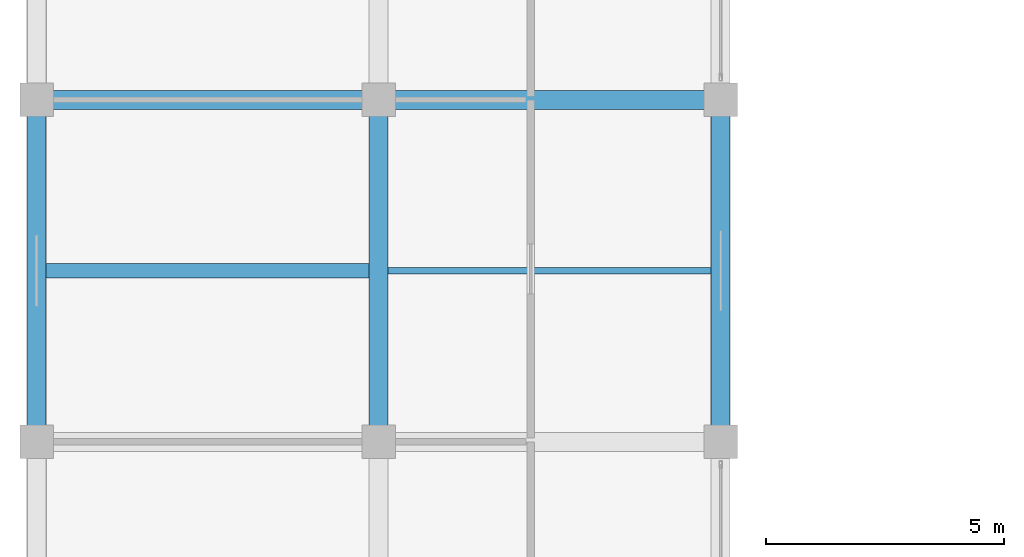
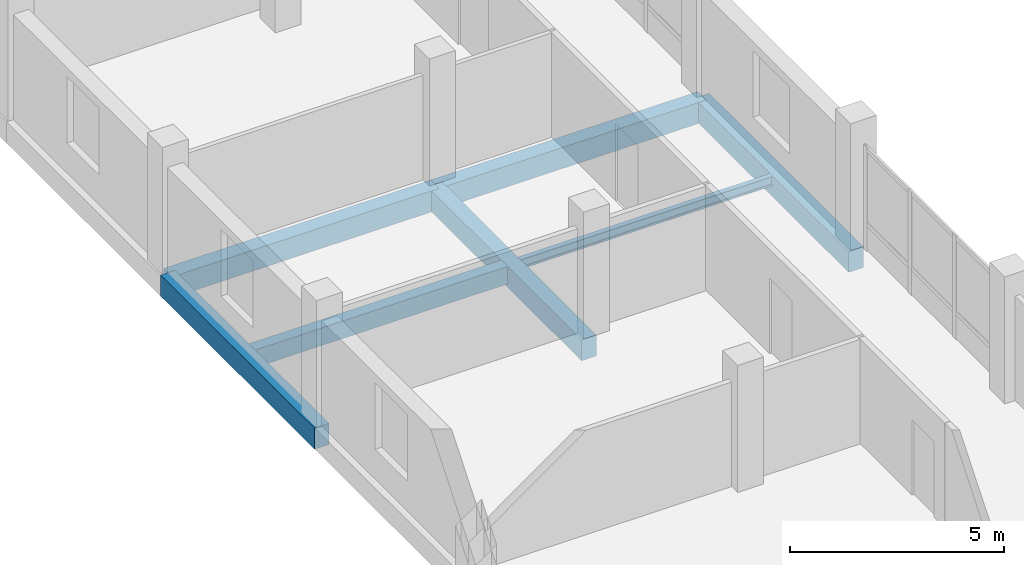
# One storey, part 12 of 128: 7 beams.
"""IFC4 building model written with IfcOpenShell, lengths in metres."""

from ifc_helpers import new_model, si_unit, direction, frame, origin, origin_2d, place, context, subcontext, project, spatial, rectangle, i_section, extrude, material, material_profile, profile_set, type_object, element, save


model = new_model("IFC4")

# Units and contexts
model_context = context("Model", 3, precision=1e-05, world=origin(), true_north=direction((0.0, 1.0)))
body_context = subcontext(model_context, "Body", "Model", "MODEL_VIEW")
ifc_project = project(units=[si_unit("LENGTHUNIT", "METRE"), si_unit("AREAUNIT", "SQUARE_METRE"), si_unit("VOLUMEUNIT", "CUBIC_METRE"), si_unit("PLANEANGLEUNIT", "RADIAN"), si_unit("MASSUNIT", "GRAM", prefix="KILO")], contexts=[model_context])

# Site, building, storey
site_placement = place(None, origin())
site = spatial("IfcSite", under=ifc_project, at=site_placement, CompositionType="ELEMENT")
building_placement = place(site_placement, origin())
building = spatial("IfcBuilding", under=site, at=building_placement, Name="Zornivar Specialist Clinic", CompositionType="ELEMENT")
storey_placement = place(building_placement, frame((0.0, 0.0, 4.5)))
storey = spatial("IfcBuildingStorey", under=building, at=storey_placement, Name="L01", CompositionType="ELEMENT", Elevation=4.5)

# Beams
ifc_material_1 = material(Name="Concrete C30/37", Category="concrete")
ifc_material_profile_1 = material_profile(ifc_material_1, rectangle(XDim=0.39990234375, YDim=0.60009765625, at=origin_2d()), Name="RC 400x600")
ifc_profile_set_1 = profile_set([ifc_material_profile_1], Name="Concrete C30/37")
beam_type_1 = type_object("IfcBeamType", Name="BM-RC-400x600", PredefinedType="BEAM", material=ifc_profile_set_1)
for number, where, z_axis, x_axis, name in (
    (1, (0.0, 28.800048828125, -0.580078125), (1.0, 0.0, 0.0), (0.0, 1.0, 0.0), "bm:V2:L01:x:288:0"),
    (2, (7.199951171875, 28.800048828125, -0.580078125), (1.0, 0.0, 0.0), (0.0, 1.0, 0.0), "bm:V2:L01:x:288:1"),
    (3, (7.199951171875, 21.60009765625, -0.580078125), (0.0, 1.0, 0.0), (-1.0, 0.0, 0.0), "bm:V2:L01:y:72:3"),
    (4, (14.39990234375, 21.60009765625, -0.580078125), (0.0, 1.0, 0.0), (-1.0, 0.0, 0.0), "bm:V2:L01:y:144:3"),
):
    element("IfcBeam", number, at=place(storey_placement, frame(where, z_axis=z_axis, x_axis=x_axis)), inside=storey, type_object=beam_type_1, Name=name, PredefinedType="BEAM", context=body_context, shape_type="SweptSolid", body=[
        extrude(rectangle(XDim=0.39990234375, YDim=0.60009765625, at=origin_2d()), origin(), (0.0, 0.0, 1.0), 7.199951171875),
    ])
ifc_material_2 = material(Name="Concrete C30/37", Category="concrete")
ifc_material_profile_2 = material_profile(ifc_material_2, rectangle(XDim=0.389892578125, YDim=0.60009765625, at=origin_2d()), Name="RC 390x600")
ifc_profile_set_2 = profile_set([ifc_material_profile_2], Name="Concrete C30/37")
beam_type_2 = type_object("IfcBeamType", Name="BM-RC-SPANDREL-390x600", PredefinedType="SPANDREL", material=ifc_profile_set_2)
beam_1_placement = place(storey_placement, frame((0.0, 21.60009765625, -0.580078125), z_axis=(0.0, 1.0, 0.0), x_axis=(-1.0, 0.0, 0.0)))
element("IfcBeam", 5, at=beam_1_placement, inside=storey, type_object=beam_type_2, Name="bm:V2:L01:y:0:3", PredefinedType="SPANDREL", context=body_context, shape_type="SweptSolid", body=[
    extrude(rectangle(XDim=0.389892578125, YDim=0.60009765625, at=origin_2d()), origin(), (0.0, 0.0, 1.0), 7.199951171875),
])
ifc_material_3 = material(Name="Concrete C30/37", Category="concrete")
ifc_material_profile_3 = material_profile(ifc_material_3, rectangle(XDim=0.300048828125, YDim=0.5, at=origin_2d()), Name="RC 300x500")
ifc_profile_set_3 = profile_set([ifc_material_profile_3], Name="Concrete C30/37")
beam_type_3 = type_object("IfcBeamType", Name="BM-RC-TRIM-300x500", PredefinedType="BEAM", material=ifc_profile_set_3)
beam_2_placement = place(storey_placement, frame((0.195068359375, 25.199951171875, -0.530029296875), z_axis=(1.0, 0.0, 0.0), x_axis=(0.0, 1.0, 0.0)))
element("IfcBeam", 6, at=beam_2_placement, inside=storey, type_object=beam_type_3, Name="bm:trim:V2:L01:2", PredefinedType="BEAM", context=body_context, shape_type="SweptSolid", body=[
    extrude(rectangle(XDim=0.300048828125, YDim=0.5, at=origin_2d()), origin(), (0.0, 0.0, 1.0), 6.804931640625),
])
ifc_material_4 = material(Name="Steel S355J2", Category="steel")
ifc_material_profile_4 = material_profile(ifc_material_4, i_section(OverallWidth=0.135009765625, OverallDepth=0.27001953125, WebThickness=0.006591796875, FlangeThickness=0.01025390625, FilletRadius=0.014892578125, at=origin_2d()), Name="IPE 270")
ifc_profile_set_4 = profile_set([ifc_material_profile_4], Name="Steel S355J2")
beam_type_4 = type_object("IfcBeamType", Name="BM-STL-IPE270", PredefinedType="JOIST", material=ifc_profile_set_4)
beam_3_placement = place(storey_placement, frame((7.39990234375, 25.199951171875, -0.4150390625), z_axis=(1.0, 0.0, 0.0), x_axis=(0.0, 1.0, 0.0)))
element("IfcBeam", 7, at=beam_3_placement, inside=storey, type_object=beam_type_4, Name="bm:V2:L01:joist:1", PredefinedType="JOIST", context=body_context, shape_type="SweptSolid", body=[
    extrude(i_section(OverallWidth=0.135009765625, OverallDepth=0.27001953125, WebThickness=0.006591796875, FlangeThickness=0.01025390625, FilletRadius=0.014892578125, at=origin_2d()), origin(), (0.0, 0.0, 1.0), 6.800048828125),
])

save(model, "model.ifc")
